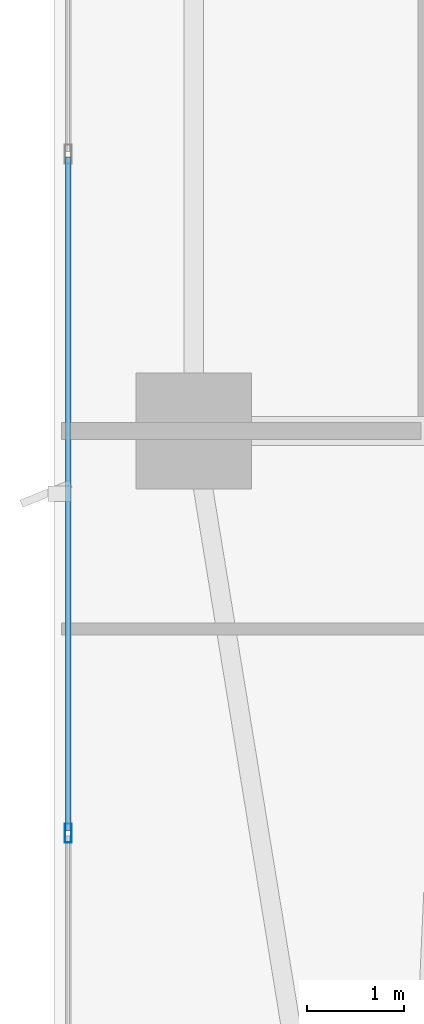
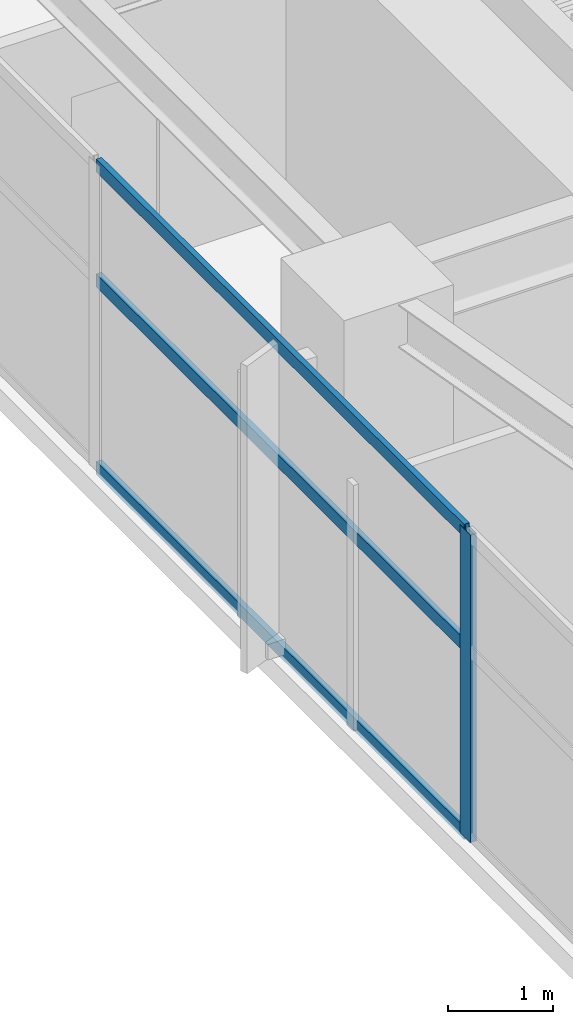
# One storey, part 4 of 29: 4 members, 1 element without a shape of its own.
"""IFC4 building model written with IfcOpenShell, lengths in metres."""

from ifc_helpers import new_model, si_unit, direction, frame, origin, origin_2d, place, context, subcontext, project, spatial, hollow_rectangle, extrude, material, layer, layer_set, material_profile, profile_set, type_object, element, aggregate, save


model = new_model("IFC4")

# Units and contexts
model_context = context("Model", 3, precision=1e-05, world=origin(), true_north=direction((0.0, 1.0)))
body_context = subcontext(model_context, "Body", "Model", "MODEL_VIEW")
ifc_project = project(units=[si_unit("LENGTHUNIT", "METRE"), si_unit("AREAUNIT", "SQUARE_METRE"), si_unit("VOLUMEUNIT", "CUBIC_METRE"), si_unit("PLANEANGLEUNIT", "RADIAN"), si_unit("MASSUNIT", "GRAM", prefix="KILO")], contexts=[model_context])

# Site, building, storey
site_placement = place(None, origin())
site = spatial("IfcSite", under=ifc_project, at=site_placement, CompositionType="ELEMENT")
building_placement = place(site_placement, origin())
building = spatial("IfcBuilding", under=site, at=building_placement, Name="Calvorn Quay Hotel", CompositionType="ELEMENT")
storey_placement = place(building_placement, frame((0.0, 0.0, 120.199951171875)))
storey = spatial("IfcBuildingStorey", under=building, at=storey_placement, Name="L29", CompositionType="ELEMENT", Elevation=120.199951171875)

# Curtain wall, members
ifc_material_1 = material(Name="Pale Anodised Aluminium and Low-E Glass", Category="aluminium")
ifc_layer = layer(ifc_material_1, 0.219970703125)
ifc_layer_set = layer_set([ifc_layer], Name="CW-SYS-Z2")
curtain_wall_type = type_object("IfcCurtainWallType", Name="CW-SYS-Z2", PredefinedType="NOTDEFINED", material=ifc_layer_set)
curtain_wall_placement = place(storey_placement, origin())
curtain_wall = element("IfcCurtainWall", 1, at=curtain_wall_placement, inside=storey, type_object=curtain_wall_type, Name="Tower West Curtain Wall (L29)", PredefinedType="NOTDEFINED")
ifc_material_2 = material(Name="Pale Anodised Aluminium 6063-T6", Category="aluminium")
ifc_material_profile_1 = material_profile(ifc_material_2, hollow_rectangle(XDim=0.070068359375, YDim=0.199951171875, WallThickness=0.00390625, at=origin_2d()), Name="ALU-M200x70x4")
ifc_profile_set_1 = profile_set([ifc_material_profile_1], Name="Pale Anodised Aluminium 6063-T6")
member_type_1 = type_object("IfcMemberType", Name="CW-SYS-Z2-MUL", PredefinedType="MULLION", material=ifc_profile_set_1)
member_1_placement = place(storey_placement, frame((0.14990234375, 12.63330078125, 0.0), z_axis=(0.0, 0.0, 1.0), x_axis=(-1.0, 0.0, 0.0)))
member_1 = element("IfcMember", 2, at=member_1_placement, type_object=member_type_1, Name="CW-L29-W mullion 2", PredefinedType="MULLION", context=body_context, shape_type="SweptSolid", body=[
    extrude(hollow_rectangle(XDim=0.070068359375, YDim=0.199951171875, WallThickness=0.00390625, at=origin_2d()), origin(), (0.0, 0.0, 1.0), 3.56005859375),
])
ifc_material_3 = material(Name="Pale Anodised Aluminium 6063-T6", Category="aluminium")
ifc_material_profile_2 = material_profile(ifc_material_3, hollow_rectangle(XDim=0.06005859375, YDim=0.14990234375, WallThickness=0.00341796875, at=origin_2d()), Name="ALU-T150x60x3.5")
ifc_profile_set_2 = profile_set([ifc_material_profile_2], Name="Pale Anodised Aluminium 6063-T6")
member_type_2 = type_object("IfcMemberType", Name="CW-SYS-Z2-TRN", PredefinedType="USERDEFINED", material=ifc_profile_set_2)
member_2_placement = place(storey_placement, frame((0.14990234375, 12.663330078125, 0.030029296875), z_axis=(0.0, 1.0, 0.0), x_axis=(-1.0, 0.0, 0.0)))
member_2 = element("IfcMember", 3, at=member_2_placement, type_object=member_type_2, Name="CW-L29-W transom 2.1", ObjectType="TRANSOM", PredefinedType="USERDEFINED", context=body_context, shape_type="SweptSolid", body=[
    extrude(hollow_rectangle(XDim=0.06005859375, YDim=0.14990234375, WallThickness=0.00341796875, at=origin_2d()), origin(), (0.0, 0.0, 1.0), 6.973388671875),
])
member_3_placement = place(storey_placement, frame((0.14990234375, 12.663330078125, 2.199951171875), z_axis=(0.0, 1.0, 0.0), x_axis=(-1.0, 0.0, 0.0)))
member_3 = element("IfcMember", 4, at=member_3_placement, type_object=member_type_2, Name="CW-L29-W transom 2.2", ObjectType="TRANSOM", PredefinedType="USERDEFINED", context=body_context, shape_type="SweptSolid", body=[
    extrude(hollow_rectangle(XDim=0.06005859375, YDim=0.14990234375, WallThickness=0.00341796875, at=origin_2d()), origin(), (0.0, 0.0, 1.0), 6.973388671875),
])
member_4_placement = place(storey_placement, frame((0.14990234375, 12.663330078125, 3.530029296875), z_axis=(0.0, 1.0, 0.0), x_axis=(-1.0, 0.0, 0.0)))
member_4 = element("IfcMember", 5, at=member_4_placement, type_object=member_type_2, Name="CW-L29-W transom 2.3", ObjectType="TRANSOM", PredefinedType="USERDEFINED", context=body_context, shape_type="SweptSolid", body=[
    extrude(hollow_rectangle(XDim=0.06005859375, YDim=0.14990234375, WallThickness=0.00341796875, at=origin_2d()), origin(), (0.0, 0.0, 1.0), 6.973388671875),
])
aggregate(curtain_wall, [member_1, member_2, member_3, member_4])

save(model, "model.ifc")
